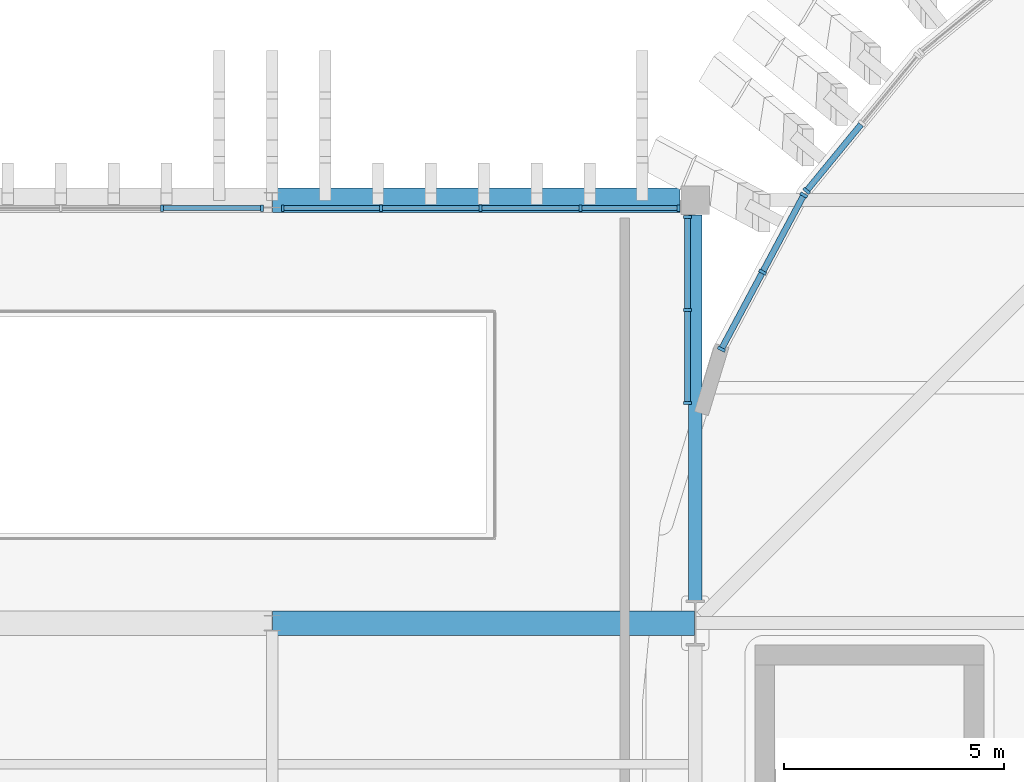
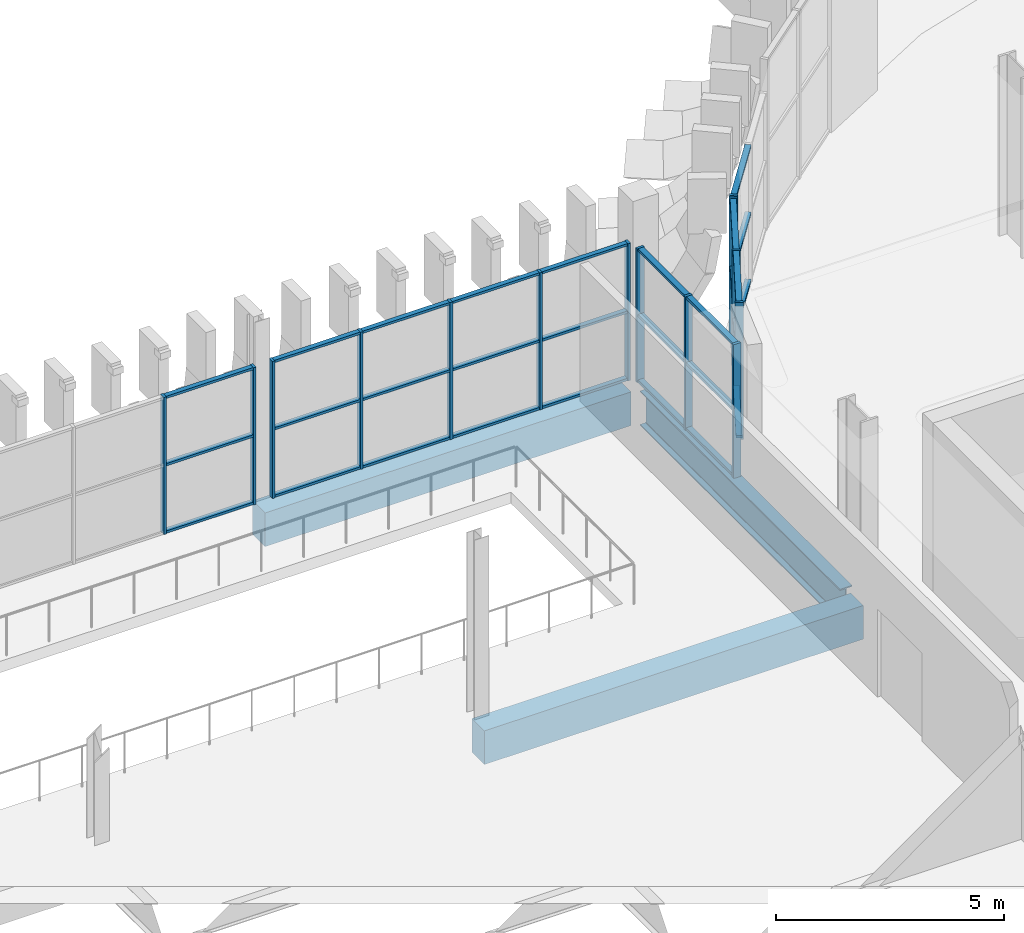
# One storey, part 26 of 100: 44 members, 3 beams, 5 elements without a shape of their own.
"""IFC4 building model written with IfcOpenShell, lengths in metres."""

from ifc_helpers import new_model, si_unit, direction, frame, origin, origin_2d, place, context, subcontext, project, spatial, rectangle, i_section, extrude, material, layer, layer_set, material_profile, profile_set, type_object, element, aggregate, save


model = new_model("IFC4")

# Units and contexts
model_context = context("Model", 3, precision=1e-05, world=origin(), true_north=direction((0.0, 1.0)))
body_context = subcontext(model_context, "Body", "Model", "MODEL_VIEW")
ifc_project = project(units=[si_unit("LENGTHUNIT", "METRE"), si_unit("AREAUNIT", "SQUARE_METRE"), si_unit("VOLUMEUNIT", "CUBIC_METRE"), si_unit("PLANEANGLEUNIT", "RADIAN"), si_unit("MASSUNIT", "GRAM", prefix="KILO")], contexts=[model_context])

# Site, building, storey
site_placement = place(None, origin())
site = spatial("IfcSite", under=ifc_project, at=site_placement, CompositionType="ELEMENT")
building_placement = place(site_placement, origin())
building = spatial("IfcBuilding", under=site, at=building_placement, Name="Caelomonte Colonnade Arena", CompositionType="ELEMENT")
storey_placement = place(building_placement, origin())
storey = spatial("IfcBuildingStorey", under=building, at=storey_placement, Name="L00", CompositionType="ELEMENT", Elevation=0.0)

# Curtain wall, member
ifc_material_1 = material(Name="Bronze anodised aluminium and low-E glazing", Category="aluminium")
ifc_layer_1 = layer(ifc_material_1, 0.179931640625)
ifc_layer_set_1 = layer_set([ifc_layer_1], Name="Bronze anodised aluminium and low-E glazing")
curtain_wall_type_1 = type_object("IfcCurtainWallType", Name="ENV-CW-CW-L00-44-37", PredefinedType="USERDEFINED", material=ifc_layer_set_1)
curtain_wall_1_placement = place(storey_placement, origin())
curtain_wall_1 = element("IfcCurtainWall", 1, at=curtain_wall_1_placement, inside=storey, type_object=curtain_wall_type_1, Name="L00 unitized curtain wall CW-L00-0614-1073", ObjectType="UNITIZED CURTAIN WALL", PredefinedType="USERDEFINED")
ifc_material_2 = material(Name="Bronze anodised aluminium AA6063-T6", Category="aluminium")
ifc_material_profile_1 = material_profile(ifc_material_2, rectangle(XDim=0.070068359375, YDim=0.179931640625, at=origin_2d()), Name="CWM-70X180")
ifc_profile_set_1 = profile_set([ifc_material_profile_1], Name="Bronze anodised aluminium AA6063-T6")
member_type_1 = type_object("IfcMemberType", Name="ENV-CW-MULL1", PredefinedType="MULLION", material=ifc_profile_set_1)
member_1_placement = place(storey_placement, frame((60.125732421875, 105.810791015625, 0.0), z_axis=(0.0, 0.0, 1.0), x_axis=(-0.634416071163, -0.772991751994, 0.0)))
member_1 = element("IfcMember", 2, at=member_1_placement, type_object=member_type_1, Name="CW-L00-44-37 mullion 3", PredefinedType="MULLION", context=body_context, shape_type="SweptSolid", body=[
    extrude(rectangle(XDim=0.070068359375, YDim=0.179931640625, at=origin_2d()), origin(), (0.0, 0.0, 1.0), 3.664306640625),
])

# Curtain wall, members
curtain_wall_2_placement = place(storey_placement, origin())
curtain_wall_2 = element("IfcCurtainWall", 3, at=curtain_wall_2_placement, inside=storey, type_object=curtain_wall_type_1, Name="L00 unitized curtain wall CW-L00-0591-1040", ObjectType="UNITIZED CURTAIN WALL", PredefinedType="USERDEFINED")
member_2_placement = place(storey_placement, frame((60.0625, 105.716064453125, 0.0), z_axis=(0.0, 0.0, 1.0), x_axis=(-0.471394212466, -0.881922613642, 0.0)))
member_2 = element("IfcMember", 4, at=member_2_placement, type_object=member_type_1, Name="CW-L00-44-37 mullion 1", PredefinedType="MULLION", context=body_context, shape_type="SweptSolid", body=[
    extrude(rectangle(XDim=0.070068359375, YDim=0.179931640625, at=origin_2d()), origin(), (0.0, 0.0, 1.0), 3.664306640625),
])
member_3_placement = place(storey_placement, frame((59.12744140625, 103.966796875, 0.0), z_axis=(0.0, 0.0, 1.0), x_axis=(-0.471394212466, -0.881922613642, 0.0)))
member_3 = element("IfcMember", 5, at=member_3_placement, type_object=member_type_1, Name="CW-L00-44-37 mullion 2", PredefinedType="MULLION", context=body_context, shape_type="SweptSolid", body=[
    extrude(rectangle(XDim=0.070068359375, YDim=0.179931640625, at=origin_2d()), origin(), (0.0, 0.0, 1.0), 3.664306640625),
])
member_4_placement = place(storey_placement, frame((58.192626953125, 102.2177734375, 0.0), z_axis=(0.0, 0.0, 1.0), x_axis=(-0.471394212466, -0.881922613642, 0.0)))
member_4 = element("IfcMember", 6, at=member_4_placement, type_object=member_type_1, Name="CW-L00-44-37 mullion 3", PredefinedType="MULLION", context=body_context, shape_type="SweptSolid", body=[
    extrude(rectangle(XDim=0.070068359375, YDim=0.179931640625, at=origin_2d()), origin(), (0.0, 0.0, 1.0), 3.664306640625),
])

ifc_layer_2 = layer(ifc_material_1, 0.179931640625)
ifc_layer_set_2 = layer_set([ifc_layer_2], Name="Bronze anodised aluminium and low-E glazing")
curtain_wall_type_2 = type_object("IfcCurtainWallType", Name="ENV-CW-CW-L00-48-36", PredefinedType="USERDEFINED", material=ifc_layer_set_2)
curtain_wall_3_placement = place(storey_placement, origin())
curtain_wall_3 = element("IfcCurtainWall", 7, at=curtain_wall_3_placement, inside=storey, type_object=curtain_wall_type_2, Name="L00 unitized curtain wall CW-L00-0574-1032", ObjectType="UNITIZED CURTAIN WALL", PredefinedType="USERDEFINED")
member_5_placement = place(storey_placement, frame((57.419921875, 100.99951171875, 0.0), z_axis=(0.0, 0.0, 1.0), x_axis=(0.0, 1.0, 0.0)))
member_5 = element("IfcMember", 8, at=member_5_placement, type_object=member_type_1, Name="CW-L00-48-36 mullion 1", PredefinedType="MULLION", context=body_context, shape_type="SweptSolid", body=[
    extrude(rectangle(XDim=0.070068359375, YDim=0.179931640625, at=origin_2d()), origin(), (0.0, 0.0, 1.0), 3.572998046875),
])
member_6_placement = place(storey_placement, frame((57.419921875, 103.10986328125, 0.0), z_axis=(0.0, 0.0, 1.0), x_axis=(0.0, 1.0, 0.0)))
member_6 = element("IfcMember", 9, at=member_6_placement, type_object=member_type_1, Name="CW-L00-48-36 mullion 2", PredefinedType="MULLION", context=body_context, shape_type="SweptSolid", body=[
    extrude(rectangle(XDim=0.070068359375, YDim=0.179931640625, at=origin_2d()), origin(), (0.0, 0.0, 1.0), 3.572998046875),
])
member_7_placement = place(storey_placement, frame((57.419921875, 105.219970703125, 0.0), z_axis=(0.0, 0.0, 1.0), x_axis=(0.0, 1.0, 0.0)))
member_7 = element("IfcMember", 10, at=member_7_placement, type_object=member_type_1, Name="CW-L00-48-36 mullion 3", PredefinedType="MULLION", context=body_context, shape_type="SweptSolid", body=[
    extrude(rectangle(XDim=0.070068359375, YDim=0.179931640625, at=origin_2d()), origin(), (0.0, 0.0, 1.0), 3.572998046875),
])

ifc_layer_3 = layer(ifc_material_1, 0.179931640625)
ifc_layer_set_3 = layer_set([ifc_layer_3], Name="Bronze anodised aluminium and low-E glazing")
curtain_wall_type_3 = type_object("IfcCurtainWallType", Name="ENV-CW-CW-L00-96-37", PredefinedType="USERDEFINED", material=ifc_layer_set_3)
curtain_wall_4_placement = place(storey_placement, origin())
curtain_wall_4 = element("IfcCurtainWall", 11, at=curtain_wall_4_placement, inside=storey, type_object=curtain_wall_type_3, Name="L00 unitized curtain wall CW-L00-0528-1054", ObjectType="UNITIZED CURTAIN WALL", PredefinedType="USERDEFINED")
ifc_material_profile_2 = material_profile(ifc_material_2, rectangle(XDim=0.06494140625, YDim=0.14990234375, at=origin_2d()), Name="CWM-65X150")
ifc_profile_set_2 = profile_set([ifc_material_profile_2], Name="Bronze anodised aluminium AA6063-T6")
member_type_2 = type_object("IfcMemberType", Name="ENV-CW-MULL2", PredefinedType="MULLION", material=ifc_profile_set_2)
member_8_placement = place(storey_placement, frame((57.222412109375, 105.419921875, 0.0), z_axis=(0.0, 0.0, 1.0), x_axis=(-1.0, 0.0, 0.0)))
member_8 = element("IfcMember", 12, at=member_8_placement, type_object=member_type_2, Name="CW-L00-96-37 mullion 1", PredefinedType="MULLION", context=body_context, shape_type="SweptSolid", body=[
    extrude(rectangle(XDim=0.06494140625, YDim=0.14990234375, at=origin_2d()), origin(), (0.0, 0.0, 1.0), 3.664306640625),
])
member_9_placement = place(storey_placement, frame((54.992431640625, 105.419921875, 0.0), z_axis=(0.0, 0.0, 1.0), x_axis=(-1.0, 0.0, 0.0)))
member_9 = element("IfcMember", 13, at=member_9_placement, type_object=member_type_2, Name="CW-L00-96-37 mullion 2", PredefinedType="MULLION", context=body_context, shape_type="SweptSolid", body=[
    extrude(rectangle(XDim=0.06494140625, YDim=0.14990234375, at=origin_2d()), origin(), (0.0, 0.0, 1.0), 3.664306640625),
])
member_10_placement = place(storey_placement, frame((52.729736328125, 105.419921875, 0.0), z_axis=(0.0, 0.0, 1.0), x_axis=(-1.0, 0.0, 0.0)))
member_10 = element("IfcMember", 14, at=member_10_placement, type_object=member_type_2, Name="CW-L00-96-37 mullion 3", PredefinedType="MULLION", context=body_context, shape_type="SweptSolid", body=[
    extrude(rectangle(XDim=0.06494140625, YDim=0.14990234375, at=origin_2d()), origin(), (0.0, 0.0, 1.0), 3.664306640625),
])
member_11_placement = place(storey_placement, frame((50.467041015625, 105.419921875, 0.0), z_axis=(0.0, 0.0, 1.0), x_axis=(-1.0, 0.0, 0.0)))
member_11 = element("IfcMember", 15, at=member_11_placement, type_object=member_type_2, Name="CW-L00-96-37 mullion 4", PredefinedType="MULLION", context=body_context, shape_type="SweptSolid", body=[
    extrude(rectangle(XDim=0.06494140625, YDim=0.14990234375, at=origin_2d()), origin(), (0.0, 0.0, 1.0), 3.664306640625),
])
member_12_placement = place(storey_placement, frame((48.23681640625, 105.419921875, 0.0), z_axis=(0.0, 0.0, 1.0), x_axis=(-1.0, 0.0, 0.0)))
member_12 = element("IfcMember", 16, at=member_12_placement, type_object=member_type_2, Name="CW-L00-96-37 mullion 5", PredefinedType="MULLION", context=body_context, shape_type="SweptSolid", body=[
    extrude(rectangle(XDim=0.06494140625, YDim=0.14990234375, at=origin_2d()), origin(), (0.0, 0.0, 1.0), 3.664306640625),
])

curtain_wall_5_placement = place(storey_placement, origin())
curtain_wall_5 = element("IfcCurtainWall", 17, at=curtain_wall_5_placement, inside=storey, type_object=curtain_wall_type_3, Name="L00 unitized curtain wall CW-L00-0432-1054", ObjectType="UNITIZED CURTAIN WALL", PredefinedType="USERDEFINED")
member_13_placement = place(storey_placement, frame((47.76318359375, 105.419921875, 0.0), z_axis=(0.0, 0.0, 1.0), x_axis=(-1.0, 0.0, 0.0)))
member_13 = element("IfcMember", 18, at=member_13_placement, type_object=member_type_2, Name="CW-L00-96-37 mullion 1", PredefinedType="MULLION", context=body_context, shape_type="SweptSolid", body=[
    extrude(rectangle(XDim=0.06494140625, YDim=0.14990234375, at=origin_2d()), origin(), (0.0, 0.0, 1.0), 3.664306640625),
])
member_14_placement = place(storey_placement, frame((45.497802734375, 105.419921875, 0.0), z_axis=(0.0, 0.0, 1.0), x_axis=(-1.0, 0.0, 0.0)))
member_14 = element("IfcMember", 19, at=member_14_placement, type_object=member_type_2, Name="CW-L00-96-37 mullion 2", PredefinedType="MULLION", context=body_context, shape_type="SweptSolid", body=[
    extrude(rectangle(XDim=0.06494140625, YDim=0.14990234375, at=origin_2d()), origin(), (0.0, 0.0, 1.0), 3.664306640625),
])

# Member
ifc_material_profile_3 = material_profile(ifc_material_2, rectangle(XDim=0.070068359375, YDim=0.139892578125, at=origin_2d()), Name="CWT-70X140")
ifc_profile_set_3 = profile_set([ifc_material_profile_3], Name="Bronze anodised aluminium AA6063-T6")
member_type_3 = type_object("IfcMemberType", Name="ENV-CW-TRAN1", PredefinedType="USERDEFINED", material=ifc_profile_set_3)
member_15_placement = place(storey_placement, frame((61.36181640625, 107.31689453125, 0.034912109375), z_axis=(-0.634418283662, -0.772989936128, 0.0), x_axis=(0.0, 0.0, 1.0)))
member_15 = element("IfcMember", 20, at=member_15_placement, type_object=member_type_3, Name="CW-L00-44-37 transom 2.1", ObjectType="TRANSOM", PredefinedType="USERDEFINED", context=body_context, shape_type="SweptSolid", body=[
    extrude(rectangle(XDim=0.070068359375, YDim=0.139892578125, at=origin_2d()), origin(), (0.0, 0.0, 1.0), 1.913330078125),
])

member_16_placement = place(storey_placement, frame((61.36181640625, 107.31689453125, 1.832275390625), z_axis=(-0.634418283662, -0.772989936128, 0.0), x_axis=(0.0, 0.0, 1.0)))
member_16 = element("IfcMember", 21, at=member_16_placement, type_object=member_type_3, Name="CW-L00-44-37 transom 2.2", ObjectType="TRANSOM", PredefinedType="USERDEFINED", context=body_context, shape_type="SweptSolid", body=[
    extrude(rectangle(XDim=0.070068359375, YDim=0.139892578125, at=origin_2d()), origin(), (0.0, 0.0, 1.0), 1.913330078125),
])

member_17_placement = place(storey_placement, frame((61.36181640625, 107.31689453125, 3.62939453125), z_axis=(-0.634418283662, -0.772989936128, 0.0), x_axis=(0.0, 0.0, 1.0)))
member_17 = element("IfcMember", 22, at=member_17_placement, type_object=member_type_3, Name="CW-L00-44-37 transom 2.3", ObjectType="TRANSOM", PredefinedType="USERDEFINED", context=body_context, shape_type="SweptSolid", body=[
    extrude(rectangle(XDim=0.070068359375, YDim=0.139892578125, at=origin_2d()), origin(), (0.0, 0.0, 1.0), 1.913330078125),
])

aggregate(curtain_wall_1, [member_1, member_15, member_16, member_17])

member_18_placement = place(storey_placement, frame((60.0458984375, 105.68505859375, 0.034912109375), z_axis=(-0.471396095589, -0.881921607096, 0.0), x_axis=(0.0, 0.0, 1.0)))
member_18 = element("IfcMember", 23, at=member_18_placement, type_object=member_type_3, Name="CW-L00-44-37 transom 1.1", ObjectType="TRANSOM", PredefinedType="USERDEFINED", context=body_context, shape_type="SweptSolid", body=[
    extrude(rectangle(XDim=0.070068359375, YDim=0.139892578125, at=origin_2d()), origin(), (0.0, 0.0, 1.0), 1.9130859375),
])

member_19_placement = place(storey_placement, frame((60.0458984375, 105.68505859375, 1.832275390625), z_axis=(-0.471396095589, -0.881921607096, 0.0), x_axis=(0.0, 0.0, 1.0)))
member_19 = element("IfcMember", 24, at=member_19_placement, type_object=member_type_3, Name="CW-L00-44-37 transom 1.2", ObjectType="TRANSOM", PredefinedType="USERDEFINED", context=body_context, shape_type="SweptSolid", body=[
    extrude(rectangle(XDim=0.070068359375, YDim=0.139892578125, at=origin_2d()), origin(), (0.0, 0.0, 1.0), 1.9130859375),
])

member_20_placement = place(storey_placement, frame((60.0458984375, 105.68505859375, 3.62939453125), z_axis=(-0.471396095589, -0.881921607096, 0.0), x_axis=(0.0, 0.0, 1.0)))
member_20 = element("IfcMember", 25, at=member_20_placement, type_object=member_type_3, Name="CW-L00-44-37 transom 1.3", ObjectType="TRANSOM", PredefinedType="USERDEFINED", context=body_context, shape_type="SweptSolid", body=[
    extrude(rectangle(XDim=0.070068359375, YDim=0.139892578125, at=origin_2d()), origin(), (0.0, 0.0, 1.0), 1.9130859375),
])

member_21_placement = place(storey_placement, frame((59.111083984375, 103.93603515625, 0.034912109375), z_axis=(-0.471442288799, -0.881896914799, 0.0), x_axis=(0.0, 0.0, 1.0)))
member_21 = element("IfcMember", 26, at=member_21_placement, type_object=member_type_3, Name="CW-L00-44-37 transom 2.1", ObjectType="TRANSOM", PredefinedType="USERDEFINED", context=body_context, shape_type="SweptSolid", body=[
    extrude(rectangle(XDim=0.070068359375, YDim=0.139892578125, at=origin_2d()), origin(), (0.0, 0.0, 1.0), 1.91357421875),
])

member_22_placement = place(storey_placement, frame((59.111083984375, 103.93603515625, 1.832275390625), z_axis=(-0.471442288799, -0.881896914799, 0.0), x_axis=(0.0, 0.0, 1.0)))
member_22 = element("IfcMember", 27, at=member_22_placement, type_object=member_type_3, Name="CW-L00-44-37 transom 2.2", ObjectType="TRANSOM", PredefinedType="USERDEFINED", context=body_context, shape_type="SweptSolid", body=[
    extrude(rectangle(XDim=0.070068359375, YDim=0.139892578125, at=origin_2d()), origin(), (0.0, 0.0, 1.0), 1.91357421875),
])

member_23_placement = place(storey_placement, frame((59.111083984375, 103.93603515625, 3.62939453125), z_axis=(-0.471442288799, -0.881896914799, 0.0), x_axis=(0.0, 0.0, 1.0)))
member_23 = element("IfcMember", 28, at=member_23_placement, type_object=member_type_3, Name="CW-L00-44-37 transom 2.3", ObjectType="TRANSOM", PredefinedType="USERDEFINED", context=body_context, shape_type="SweptSolid", body=[
    extrude(rectangle(XDim=0.070068359375, YDim=0.139892578125, at=origin_2d()), origin(), (0.0, 0.0, 1.0), 1.91357421875),
])

aggregate(curtain_wall_2, [member_2, member_3, member_4, member_18, member_19, member_20, member_21, member_22, member_23])

member_24_placement = place(storey_placement, frame((57.419921875, 101.034423828125, 0.034912109375), z_axis=(0.0, 1.0, 0.0), x_axis=(0.0, 0.0, 1.0)))
member_24 = element("IfcMember", 29, at=member_24_placement, type_object=member_type_3, Name="CW-L00-48-36 transom 1.1", ObjectType="TRANSOM", PredefinedType="USERDEFINED", context=body_context, shape_type="SweptSolid", body=[
    extrude(rectangle(XDim=0.070068359375, YDim=0.139892578125, at=origin_2d()), origin(), (0.0, 0.0, 1.0), 2.040283203125),
])

member_25_placement = place(storey_placement, frame((57.419921875, 101.034423828125, 1.78662109375), z_axis=(0.0, 1.0, 0.0), x_axis=(0.0, 0.0, 1.0)))
member_25 = element("IfcMember", 30, at=member_25_placement, type_object=member_type_3, Name="CW-L00-48-36 transom 1.2", ObjectType="TRANSOM", PredefinedType="USERDEFINED", context=body_context, shape_type="SweptSolid", body=[
    extrude(rectangle(XDim=0.070068359375, YDim=0.139892578125, at=origin_2d()), origin(), (0.0, 0.0, 1.0), 2.040283203125),
])

member_26_placement = place(storey_placement, frame((57.419921875, 101.034423828125, 3.5380859375), z_axis=(0.0, 1.0, 0.0), x_axis=(0.0, 0.0, 1.0)))
member_26 = element("IfcMember", 31, at=member_26_placement, type_object=member_type_3, Name="CW-L00-48-36 transom 1.3", ObjectType="TRANSOM", PredefinedType="USERDEFINED", context=body_context, shape_type="SweptSolid", body=[
    extrude(rectangle(XDim=0.070068359375, YDim=0.139892578125, at=origin_2d()), origin(), (0.0, 0.0, 1.0), 2.040283203125),
])

member_27_placement = place(storey_placement, frame((57.419921875, 103.144775390625, 0.034912109375), z_axis=(0.0, 1.0, 0.0), x_axis=(0.0, 0.0, 1.0)))
member_27 = element("IfcMember", 32, at=member_27_placement, type_object=member_type_3, Name="CW-L00-48-36 transom 2.1", ObjectType="TRANSOM", PredefinedType="USERDEFINED", context=body_context, shape_type="SweptSolid", body=[
    extrude(rectangle(XDim=0.070068359375, YDim=0.139892578125, at=origin_2d()), origin(), (0.0, 0.0, 1.0), 2.040283203125),
])

member_28_placement = place(storey_placement, frame((57.419921875, 103.144775390625, 1.78662109375), z_axis=(0.0, 1.0, 0.0), x_axis=(0.0, 0.0, 1.0)))
member_28 = element("IfcMember", 33, at=member_28_placement, type_object=member_type_3, Name="CW-L00-48-36 transom 2.2", ObjectType="TRANSOM", PredefinedType="USERDEFINED", context=body_context, shape_type="SweptSolid", body=[
    extrude(rectangle(XDim=0.070068359375, YDim=0.139892578125, at=origin_2d()), origin(), (0.0, 0.0, 1.0), 2.040283203125),
])

member_29_placement = place(storey_placement, frame((57.419921875, 103.144775390625, 3.5380859375), z_axis=(0.0, 1.0, 0.0), x_axis=(0.0, 0.0, 1.0)))
member_29 = element("IfcMember", 34, at=member_29_placement, type_object=member_type_3, Name="CW-L00-48-36 transom 2.3", ObjectType="TRANSOM", PredefinedType="USERDEFINED", context=body_context, shape_type="SweptSolid", body=[
    extrude(rectangle(XDim=0.070068359375, YDim=0.139892578125, at=origin_2d()), origin(), (0.0, 0.0, 1.0), 2.040283203125),
])

aggregate(curtain_wall_3, [member_5, member_6, member_7, member_24, member_25, member_26, member_27, member_28, member_29])

ifc_material_profile_4 = material_profile(ifc_material_2, rectangle(XDim=0.06494140625, YDim=0.1201171875, at=origin_2d()), Name="CWT-65X120")
ifc_profile_set_4 = profile_set([ifc_material_profile_4], Name="Bronze anodised aluminium AA6063-T6")
member_type_4 = type_object("IfcMemberType", Name="ENV-CW-TRAN2", PredefinedType="USERDEFINED", material=ifc_profile_set_4)
member_30_placement = place(storey_placement, frame((57.18994140625, 105.419921875, 0.032470703125), z_axis=(-1.0, 0.0, 0.0), x_axis=(0.0, 0.0, 1.0)))
member_30 = element("IfcMember", 35, at=member_30_placement, type_object=member_type_4, Name="CW-L00-96-37 transom 1.1", ObjectType="TRANSOM", PredefinedType="USERDEFINED", context=body_context, shape_type="SweptSolid", body=[
    extrude(rectangle(XDim=0.06494140625, YDim=0.1201171875, at=origin_2d()), origin(), (0.0, 0.0, 1.0), 2.1650390625),
])

member_31_placement = place(storey_placement, frame((57.18994140625, 105.419921875, 1.832275390625), z_axis=(-1.0, 0.0, 0.0), x_axis=(0.0, 0.0, 1.0)))
member_31 = element("IfcMember", 36, at=member_31_placement, type_object=member_type_4, Name="CW-L00-96-37 transom 1.2", ObjectType="TRANSOM", PredefinedType="USERDEFINED", context=body_context, shape_type="SweptSolid", body=[
    extrude(rectangle(XDim=0.06494140625, YDim=0.1201171875, at=origin_2d()), origin(), (0.0, 0.0, 1.0), 2.1650390625),
])

member_32_placement = place(storey_placement, frame((57.18994140625, 105.419921875, 3.6318359375), z_axis=(-1.0, 0.0, 0.0), x_axis=(0.0, 0.0, 1.0)))
member_32 = element("IfcMember", 37, at=member_32_placement, type_object=member_type_4, Name="CW-L00-96-37 transom 1.3", ObjectType="TRANSOM", PredefinedType="USERDEFINED", context=body_context, shape_type="SweptSolid", body=[
    extrude(rectangle(XDim=0.06494140625, YDim=0.1201171875, at=origin_2d()), origin(), (0.0, 0.0, 1.0), 2.1650390625),
])

member_33_placement = place(storey_placement, frame((54.9599609375, 105.419921875, 0.032470703125), z_axis=(-1.0, 0.0, 0.0), x_axis=(0.0, 0.0, 1.0)))
member_33 = element("IfcMember", 38, at=member_33_placement, type_object=member_type_4, Name="CW-L00-96-37 transom 2.1", ObjectType="TRANSOM", PredefinedType="USERDEFINED", context=body_context, shape_type="SweptSolid", body=[
    extrude(rectangle(XDim=0.06494140625, YDim=0.1201171875, at=origin_2d()), origin(), (0.0, 0.0, 1.0), 2.19775390625),
])

member_34_placement = place(storey_placement, frame((54.9599609375, 105.419921875, 1.832275390625), z_axis=(-1.0, 0.0, 0.0), x_axis=(0.0, 0.0, 1.0)))
member_34 = element("IfcMember", 39, at=member_34_placement, type_object=member_type_4, Name="CW-L00-96-37 transom 2.2", ObjectType="TRANSOM", PredefinedType="USERDEFINED", context=body_context, shape_type="SweptSolid", body=[
    extrude(rectangle(XDim=0.06494140625, YDim=0.1201171875, at=origin_2d()), origin(), (0.0, 0.0, 1.0), 2.19775390625),
])

member_35_placement = place(storey_placement, frame((54.9599609375, 105.419921875, 3.6318359375), z_axis=(-1.0, 0.0, 0.0), x_axis=(0.0, 0.0, 1.0)))
member_35 = element("IfcMember", 40, at=member_35_placement, type_object=member_type_4, Name="CW-L00-96-37 transom 2.3", ObjectType="TRANSOM", PredefinedType="USERDEFINED", context=body_context, shape_type="SweptSolid", body=[
    extrude(rectangle(XDim=0.06494140625, YDim=0.1201171875, at=origin_2d()), origin(), (0.0, 0.0, 1.0), 2.19775390625),
])

member_36_placement = place(storey_placement, frame((52.697265625, 105.419921875, 0.032470703125), z_axis=(-1.0, 0.0, 0.0), x_axis=(0.0, 0.0, 1.0)))
member_36 = element("IfcMember", 41, at=member_36_placement, type_object=member_type_4, Name="CW-L00-96-37 transom 3.1", ObjectType="TRANSOM", PredefinedType="USERDEFINED", context=body_context, shape_type="SweptSolid", body=[
    extrude(rectangle(XDim=0.06494140625, YDim=0.1201171875, at=origin_2d()), origin(), (0.0, 0.0, 1.0), 2.19775390625),
])

member_37_placement = place(storey_placement, frame((52.697265625, 105.419921875, 1.832275390625), z_axis=(-1.0, 0.0, 0.0), x_axis=(0.0, 0.0, 1.0)))
member_37 = element("IfcMember", 42, at=member_37_placement, type_object=member_type_4, Name="CW-L00-96-37 transom 3.2", ObjectType="TRANSOM", PredefinedType="USERDEFINED", context=body_context, shape_type="SweptSolid", body=[
    extrude(rectangle(XDim=0.06494140625, YDim=0.1201171875, at=origin_2d()), origin(), (0.0, 0.0, 1.0), 2.19775390625),
])

member_38_placement = place(storey_placement, frame((52.697265625, 105.419921875, 3.6318359375), z_axis=(-1.0, 0.0, 0.0), x_axis=(0.0, 0.0, 1.0)))
member_38 = element("IfcMember", 43, at=member_38_placement, type_object=member_type_4, Name="CW-L00-96-37 transom 3.3", ObjectType="TRANSOM", PredefinedType="USERDEFINED", context=body_context, shape_type="SweptSolid", body=[
    extrude(rectangle(XDim=0.06494140625, YDim=0.1201171875, at=origin_2d()), origin(), (0.0, 0.0, 1.0), 2.19775390625),
])

member_39_placement = place(storey_placement, frame((50.4345703125, 105.419921875, 0.032470703125), z_axis=(-1.0, 0.0, 0.0), x_axis=(0.0, 0.0, 1.0)))
member_39 = element("IfcMember", 44, at=member_39_placement, type_object=member_type_4, Name="CW-L00-96-37 transom 4.1", ObjectType="TRANSOM", PredefinedType="USERDEFINED", context=body_context, shape_type="SweptSolid", body=[
    extrude(rectangle(XDim=0.06494140625, YDim=0.1201171875, at=origin_2d()), origin(), (0.0, 0.0, 1.0), 2.165283203125),
])

member_40_placement = place(storey_placement, frame((50.4345703125, 105.419921875, 1.832275390625), z_axis=(-1.0, 0.0, 0.0), x_axis=(0.0, 0.0, 1.0)))
member_40 = element("IfcMember", 45, at=member_40_placement, type_object=member_type_4, Name="CW-L00-96-37 transom 4.2", ObjectType="TRANSOM", PredefinedType="USERDEFINED", context=body_context, shape_type="SweptSolid", body=[
    extrude(rectangle(XDim=0.06494140625, YDim=0.1201171875, at=origin_2d()), origin(), (0.0, 0.0, 1.0), 2.165283203125),
])

member_41_placement = place(storey_placement, frame((50.4345703125, 105.419921875, 3.6318359375), z_axis=(-1.0, 0.0, 0.0), x_axis=(0.0, 0.0, 1.0)))
member_41 = element("IfcMember", 46, at=member_41_placement, type_object=member_type_4, Name="CW-L00-96-37 transom 4.3", ObjectType="TRANSOM", PredefinedType="USERDEFINED", context=body_context, shape_type="SweptSolid", body=[
    extrude(rectangle(XDim=0.06494140625, YDim=0.1201171875, at=origin_2d()), origin(), (0.0, 0.0, 1.0), 2.165283203125),
])

aggregate(curtain_wall_4, [member_8, member_9, member_10, member_11, member_12, member_30, member_31, member_32, member_33, member_34, member_35, member_36, member_37, member_38, member_39, member_40, member_41])

member_42_placement = place(storey_placement, frame((47.730712890625, 105.419921875, 0.032470703125), z_axis=(-1.0, 0.0, 0.0), x_axis=(0.0, 0.0, 1.0)))
member_42 = element("IfcMember", 47, at=member_42_placement, type_object=member_type_4, Name="CW-L00-96-37 transom 1.1", ObjectType="TRANSOM", PredefinedType="USERDEFINED", context=body_context, shape_type="SweptSolid", body=[
    extrude(rectangle(XDim=0.06494140625, YDim=0.1201171875, at=origin_2d()), origin(), (0.0, 0.0, 1.0), 2.200439453125),
])

member_43_placement = place(storey_placement, frame((47.730712890625, 105.419921875, 1.832275390625), z_axis=(-1.0, 0.0, 0.0), x_axis=(0.0, 0.0, 1.0)))
member_43 = element("IfcMember", 48, at=member_43_placement, type_object=member_type_4, Name="CW-L00-96-37 transom 1.2", ObjectType="TRANSOM", PredefinedType="USERDEFINED", context=body_context, shape_type="SweptSolid", body=[
    extrude(rectangle(XDim=0.06494140625, YDim=0.1201171875, at=origin_2d()), origin(), (0.0, 0.0, 1.0), 2.200439453125),
])

member_44_placement = place(storey_placement, frame((47.730712890625, 105.419921875, 3.6318359375), z_axis=(-1.0, 0.0, 0.0), x_axis=(0.0, 0.0, 1.0)))
member_44 = element("IfcMember", 49, at=member_44_placement, type_object=member_type_4, Name="CW-L00-96-37 transom 1.3", ObjectType="TRANSOM", PredefinedType="USERDEFINED", context=body_context, shape_type="SweptSolid", body=[
    extrude(rectangle(XDim=0.06494140625, YDim=0.1201171875, at=origin_2d()), origin(), (0.0, 0.0, 1.0), 2.200439453125),
])

aggregate(curtain_wall_5, [member_13, member_14, member_42, member_43, member_44])

# Beams
ifc_material_3 = material(Name="Wide-flange steel ASTM A992 Grade 50", Category="steel")
ifc_material_profile_5 = material_profile(ifc_material_3, i_section(OverallWidth=0.307861328125, OverallDepth=0.927001953125, WebThickness=0.019287109375, FlangeThickness=0.031982421875, FilletRadius=0.020263671875, at=origin_2d()), Name="W36X194")
ifc_profile_set_5 = profile_set([ifc_material_profile_5], Name="Wide-flange steel ASTM A992 Grade 50")
beam_type_1 = type_object("IfcBeamType", Name="STR-BM-EAVES2", PredefinedType="SPANDREL", material=ifc_profile_set_5)
beam_1_placement = place(storey_placement, frame((57.60009765625, 96.5126953125, -0.763427734375), z_axis=(0.0, 1.0, 0.0), x_axis=(-1.0, 0.0, 0.0)))
element("IfcBeam", 50, at=beam_1_placement, inside=storey, type_object=beam_type_1, Name="L00 girder BMY-L00-0576-0960", PredefinedType="SPANDREL", context=body_context, shape_type="SweptSolid", body=[
    extrude(i_section(OverallWidth=0.307861328125, OverallDepth=0.927001953125, WebThickness=0.019287109375, FlangeThickness=0.031982421875, FilletRadius=0.020263671875, at=origin_2d()), origin(), (0.0, 0.0, 1.0), 8.745361328125),
])
ifc_material_4 = material(Name="Concrete C40/50", Category="concrete")
ifc_material_profile_6 = material_profile(ifc_material_4, rectangle(XDim=0.550048828125, YDim=0.89990234375, at=origin_2d()), Name="RC550X900")
ifc_profile_set_6 = profile_set([ifc_material_profile_6], Name="Concrete C40/50")
beam_type_2 = type_object("IfcBeamType", Name="STR-BM-RC55", PredefinedType="BEAM", material=ifc_profile_set_6)
beam_2_placement = place(storey_placement, frame((48.00830078125, 96.0, -0.75), z_axis=(1.0, 0.0, 0.0), x_axis=(0.0, 1.0, 0.0)))
element("IfcBeam", 51, at=beam_2_placement, inside=storey, type_object=beam_type_2, Name="L00 girder BMX-L00-0480-0960", PredefinedType="BEAM", context=body_context, shape_type="SweptSolid", body=[
    extrude(rectangle(XDim=0.550048828125, YDim=0.89990234375, at=origin_2d()), origin(), (0.0, 0.0, 1.0), 9.576171875),
])
beam_3_placement = place(storey_placement, frame((48.00830078125, 105.60009765625, -0.75), z_axis=(1.0, 0.0, 0.0), x_axis=(0.0, 1.0, 0.0)))
element("IfcBeam", 52, at=beam_3_placement, inside=storey, type_object=beam_type_2, Name="L00 girder BMX-L00-0480-1056", PredefinedType="BEAM", context=body_context, shape_type="SweptSolid", body=[
    extrude(rectangle(XDim=0.550048828125, YDim=0.89990234375, at=origin_2d()), origin(), (0.0, 0.0, 1.0), 9.249755859375),
])

save(model, "model.ifc")
